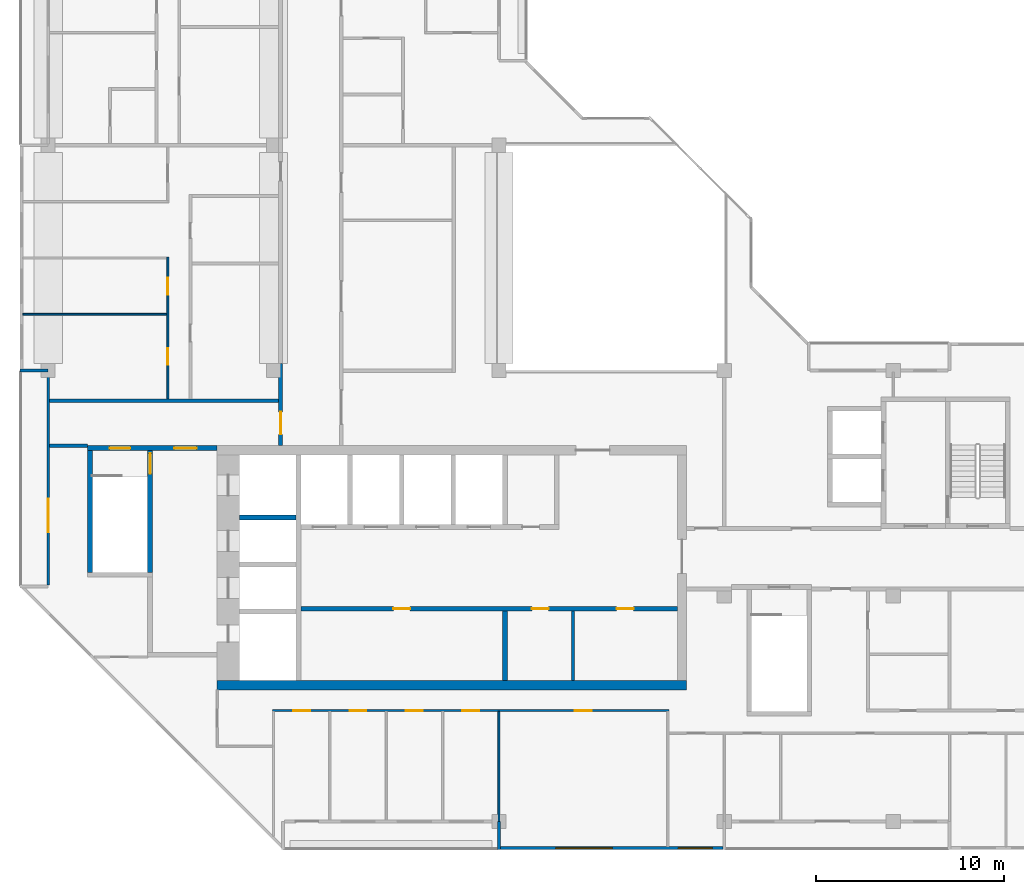
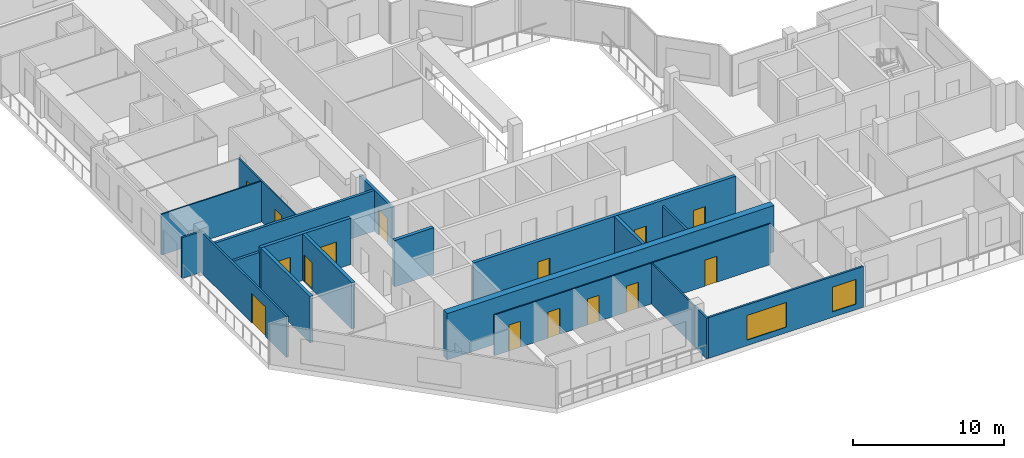
# One storey, part 4 of 11: 19 walls, 15 doors, 2 windows, 17 openings.
"""IFC4 building model written with IfcOpenShell, lengths in metres."""

from ifc_helpers import new_model, si_unit, direction, frame, frame_2d, origin, place, context, subcontext, project, spatial, rectangle, extrude, material, layer, layer_set, type_object, element, fill, save


model = new_model("IFC4")

# Units and contexts
model_context = context("Model", 3, precision=1e-05, world=origin(), true_north=direction((0.0, 1.0)))
body_context = subcontext(model_context, "Body", "Model", "MODEL_VIEW")
ifc_project = project(units=[si_unit("LENGTHUNIT", "METRE"), si_unit("AREAUNIT", "SQUARE_METRE"), si_unit("VOLUMEUNIT", "CUBIC_METRE"), si_unit("PLANEANGLEUNIT", "RADIAN"), si_unit("MASSUNIT", "GRAM", prefix="KILO")], contexts=[model_context])

# Site, building, storey
site_placement = place(None, origin())
site = spatial("IfcSite", under=ifc_project, at=site_placement, CompositionType="ELEMENT")
building_placement = place(site_placement, origin())
building = spatial("IfcBuilding", under=site, at=building_placement, Name="Chenar Terraces", CompositionType="ELEMENT")
storey_placement = place(building_placement, frame((0.0, 0.0, 380.14990234375)))
storey = spatial("IfcBuildingStorey", under=building, at=storey_placement, Name="L89", CompositionType="ELEMENT", Elevation=380.14990234375)

# Wall
ifc_material_1 = material(Name="Gypsum board on steel studs", Category="steel")
ifc_layer_1 = layer(ifc_material_1, 0.14990234375)
ifc_layer_set_1 = layer_set([ifc_layer_1], Name="Gypsum board on steel studs")
wall_type_1 = type_object("IfcWallType", Name="Core partition 150 gypsum board", PredefinedType="PARTITIONING", material=ifc_layer_set_1)
wall_1_placement = place(storey_placement, frame((27.949951171875, 7.5, 0.0), z_axis=(0.0, 0.0, 1.0), x_axis=(0.0, 1.0, 0.0)))
element("IfcWall", 1, at=wall_1_placement, inside=storey, type_object=wall_type_1, Name="Core partition CP1 freed bay wall", PredefinedType="PARTITIONING", context=body_context, shape_type="SweptSolid", body=[
    extrude(rectangle(XDim=3.699951171875, YDim=0.14990234375, at=frame_2d((1.85009765625, 0.0))), origin(), (0.0, 0.0, 1.0), 3.300048828125),
])

# Wall, openings, doors
ifc_material_2 = material(Name="Concrete C50/60", Category="concrete")
ifc_layer_2 = layer(ifc_material_2, 0.25)
ifc_layer_set_2 = layer_set([ifc_layer_2], Name="Concrete C50/60")
wall_type_2 = type_object("IfcWallType", Name="Core wall 250 Concrete C50/60", PredefinedType="SHEAR", material=ifc_layer_set_2)
wall_2_placement = place(storey_placement, frame((13.449951171875, 11.324951171875, 0.0), z_axis=(0.0, 0.0, 1.0), x_axis=(1.0, 0.0, 0.0)))
wall_2 = element("IfcWall", 2, at=wall_2_placement, inside=storey, type_object=wall_type_2, Name="Core wall SF L89", PredefinedType="SHEAR", context=body_context, shape_type="SweptSolid", body=[
    extrude(rectangle(XDim=20.050048828125, YDim=0.25, at=frame_2d((10.02490234375, 0.0))), origin(), (0.0, 0.0, 1.0), 3.75),
])
opening_1_placement = place(wall_2_placement, frame((4.925048828125, 0.0, 0.0)))
opening_1 = element("IfcOpeningElement", 3, at=opening_1_placement, cuts=wall_2, Name="Opening DL89-C12", PredefinedType="OPENING", context=body_context, shape_type="SweptSolid", body=[
    extrude(rectangle(XDim=0.89990234375, YDim=2.10009765625, at=frame_2d((0.449951171875, 1.050048828125))), frame((0.0, 0.135009765625, 0.0), z_axis=(0.0, -1.0, 0.0), x_axis=(1.0, 0.0, 0.0)), (0.0, 0.0, 1.0), 0.27001953125),
])
opening_2_placement = place(wall_2_placement, frame((12.300048828125, 0.0, 0.0)))
opening_2 = element("IfcOpeningElement", 4, at=opening_2_placement, cuts=wall_2, Name="Opening DL89-C13", PredefinedType="OPENING", context=body_context, shape_type="SweptSolid", body=[
    extrude(rectangle(XDim=0.89990234375, YDim=2.10009765625, at=frame_2d((0.449951171875, 1.050048828125))), frame((0.0, 0.135009765625, 0.0), z_axis=(0.0, -1.0, 0.0), x_axis=(1.0, 0.0, 0.0)), (0.0, 0.0, 1.0), 0.27001953125),
])
opening_3_placement = place(wall_2_placement, frame((16.824951171875, 0.0, 0.0)))
opening_3 = element("IfcOpeningElement", 5, at=opening_3_placement, cuts=wall_2, Name="Opening DL89-C14", PredefinedType="OPENING", context=body_context, shape_type="SweptSolid", body=[
    extrude(rectangle(XDim=0.89990234375, YDim=2.10009765625, at=frame_2d((0.449951171875, 1.050048828125))), frame((0.0, 0.135009765625, 0.0), z_axis=(0.0, -1.0, 0.0), x_axis=(1.0, 0.0, 0.0)), (0.0, 0.0, 1.0), 0.27001953125),
])
ifc_material_3 = material(Name="Steel-framed fire-resisting door leaf", Category="steel")
door_type_1 = type_object("IfcDoorType", Name="Riser fire door FD60 900 x 2100", OperationType="SINGLE_SWING_LEFT", PredefinedType="DOOR", material=ifc_material_3)
door_1_placement = place(opening_1_placement, frame((0.89990234375, 0.0, 0.0), z_axis=(0.0, 0.0, 1.0), x_axis=(-1.0, 0.0, 0.0)))
door_1 = element("IfcDoor", 6, at=door_1_placement, inside=storey, type_object=door_type_1, Name="Core room door DL89-C12", OperationType="SINGLE_SWING_RIGHT", OverallHeight=2.10009765625, OverallWidth=0.89990234375, PredefinedType="DOOR", context=body_context, shape_type="SweptSolid", body=[
    extrude(rectangle(XDim=0.89990234375, YDim=2.10009765625, at=frame_2d((0.449951171875, 1.050048828125))), frame((0.0, 0.02490234375, 0.0), z_axis=(0.0, -1.0, 0.0), x_axis=(1.0, 0.0, 0.0)), (0.0, 0.0, 1.0), 0.050048828125),
])
fill(opening_1, door_1)
door_2_placement = place(opening_2_placement, frame((0.89990234375, 0.0, 0.0), z_axis=(0.0, 0.0, 1.0), x_axis=(-1.0, 0.0, 0.0)))
door_2 = element("IfcDoor", 7, at=door_2_placement, inside=storey, type_object=door_type_1, Name="Core room door DL89-C13", OperationType="SINGLE_SWING_LEFT", OverallHeight=2.10009765625, OverallWidth=0.89990234375, PredefinedType="DOOR", context=body_context, shape_type="SweptSolid", body=[
    extrude(rectangle(XDim=0.89990234375, YDim=2.10009765625, at=frame_2d((0.449951171875, 1.050048828125))), frame((0.0, 0.02490234375, 0.0), z_axis=(0.0, -1.0, 0.0), x_axis=(1.0, 0.0, 0.0)), (0.0, 0.0, 1.0), 0.050048828125),
])
fill(opening_2, door_2)
door_3_placement = place(opening_3_placement, frame((0.89990234375, 0.0, 0.0), z_axis=(0.0, 0.0, 1.0), x_axis=(-1.0, 0.0, 0.0)))
door_3 = element("IfcDoor", 8, at=door_3_placement, inside=storey, type_object=door_type_1, Name="Core room door DL89-C14", OperationType="SINGLE_SWING_LEFT", OverallHeight=2.10009765625, OverallWidth=0.89990234375, PredefinedType="DOOR", context=body_context, shape_type="SweptSolid", body=[
    extrude(rectangle(XDim=0.89990234375, YDim=2.10009765625, at=frame_2d((0.449951171875, 1.050048828125))), frame((0.0, 0.02490234375, 0.0), z_axis=(0.0, -1.0, 0.0), x_axis=(1.0, 0.0, 0.0)), (0.0, 0.0, 1.0), 0.050048828125),
])
fill(opening_3, door_3)

# Walls
wall_3_placement = place(storey_placement, frame((10.199951171875, 16.175048828125, 0.0), z_axis=(0.0, 0.0, 1.0), x_axis=(1.0, 0.0, 0.0)))
element("IfcWall", 9, at=wall_3_placement, inside=storey, type_object=wall_type_2, Name="Core wall HW2 L89", PredefinedType="SHEAR", context=body_context, shape_type="SweptSolid", body=[
    extrude(rectangle(XDim=3.0, YDim=0.25, at=frame_2d((1.5, 0.0))), origin(), (0.0, 0.0, 1.0), 3.75),
])
wall_4_placement = place(storey_placement, frame((24.324951171875, 7.5, 0.0), z_axis=(0.0, 0.0, 1.0), x_axis=(0.0, 1.0, 0.0)))
element("IfcWall", 10, at=wall_4_placement, inside=storey, type_object=wall_type_2, Name="Core wall SS3 L89", PredefinedType="SHEAR", context=body_context, shape_type="SweptSolid", body=[
    extrude(rectangle(XDim=3.699951171875, YDim=0.25, at=frame_2d((1.85009765625, 0.0))), origin(), (0.0, 0.0, 1.0), 3.75),
])

# Wall, openings, doors
wall_5_placement = place(storey_placement, frame((2.10009765625, 19.875, 0.0), z_axis=(0.0, 0.0, 1.0), x_axis=(1.0, 0.0, 0.0)))
wall_5 = element("IfcWall", 11, at=wall_5_placement, inside=storey, type_object=wall_type_2, Name="Core wall A_N L89", PredefinedType="SHEAR", context=body_context, shape_type="SweptSolid", body=[
    extrude(rectangle(XDim=6.89990234375, YDim=0.25, at=frame_2d((3.449951171875, 0.0))), origin(), (0.0, 0.0, 1.0), 3.75),
])
opening_4_placement = place(wall_5_placement, frame((1.175048828125, 0.0, 0.0)))
opening_4 = element("IfcOpeningElement", 12, at=opening_4_placement, cuts=wall_5, Name="Opening DL89-C5", PredefinedType="OPENING", context=body_context, shape_type="SweptSolid", body=[
    extrude(rectangle(XDim=1.10009765625, YDim=2.199951171875, at=frame_2d((0.550048828125, 1.10009765625))), frame((0.0, 0.135009765625, 0.0), z_axis=(0.0, -1.0, 0.0), x_axis=(1.0, 0.0, 0.0)), (0.0, 0.0, 1.0), 0.27001953125),
])
opening_5_placement = place(wall_5_placement, frame((4.60009765625, 0.0, 0.0)))
opening_5 = element("IfcOpeningElement", 13, at=opening_5_placement, cuts=wall_5, Name="Opening DL89-C6", PredefinedType="OPENING", context=body_context, shape_type="SweptSolid", body=[
    extrude(rectangle(XDim=1.199951171875, YDim=2.199951171875, at=frame_2d((0.60009765625, 1.10009765625))), frame((0.0, 0.135009765625, 0.0), z_axis=(0.0, -1.0, 0.0), x_axis=(1.0, 0.0, 0.0)), (0.0, 0.0, 1.0), 0.27001953125),
])
ifc_material_4 = material(Name="Steel-framed fire-resisting door leaf", Category="steel")
door_type_2 = type_object("IfcDoorType", Name="Lobby fire door FD60 1200 x 2200", OperationType="SINGLE_SWING_LEFT", PredefinedType="DOOR", material=ifc_material_4)
door_4_placement = place(opening_5_placement, frame((1.199951171875, 0.0, 0.0), z_axis=(0.0, 0.0, 1.0), x_axis=(-1.0, 0.0, 0.0)))
door_4 = element("IfcDoor", 14, at=door_4_placement, inside=storey, type_object=door_type_2, Name="Core door DL89-C6", OperationType="SINGLE_SWING_LEFT", OverallHeight=2.199951171875, OverallWidth=1.199951171875, PredefinedType="DOOR", context=body_context, shape_type="SweptSolid", body=[
    extrude(rectangle(XDim=1.199951171875, YDim=2.199951171875, at=frame_2d((0.60009765625, 1.10009765625))), frame((0.0, 0.02490234375, 0.0), z_axis=(0.0, -1.0, 0.0), x_axis=(1.0, 0.0, 0.0)), (0.0, 0.0, 1.0), 0.050048828125),
])
fill(opening_5, door_4)
ifc_material_5 = material(Name="Steel-framed fire-resisting door leaf", Category="steel")
door_type_3 = type_object("IfcDoorType", Name="Stair fire door FD60 1100 x 2200", OperationType="SINGLE_SWING_LEFT", PredefinedType="DOOR", material=ifc_material_5)
door_5_placement = place(opening_4_placement, origin())
door_5 = element("IfcDoor", 15, at=door_5_placement, inside=storey, type_object=door_type_3, Name="Stair door DL89-C5", OperationType="SINGLE_SWING_LEFT", OverallHeight=2.199951171875, OverallWidth=1.10009765625, PredefinedType="DOOR", context=body_context, shape_type="SweptSolid", body=[
    extrude(rectangle(XDim=1.10009765625, YDim=2.199951171875, at=frame_2d((0.550048828125, 1.10009765625))), frame((0.0, 0.02490234375, 0.0), z_axis=(0.0, -1.0, 0.0), x_axis=(1.0, 0.0, 0.0)), (0.0, 0.0, 1.0), 0.050048828125),
])
fill(opening_4, door_5)

# Wall
wall_6_placement = place(storey_placement, frame((2.22509765625, 13.25, 0.0), z_axis=(0.0, 0.0, 1.0), x_axis=(0.0, 1.0, 0.0)))
element("IfcWall", 16, at=wall_6_placement, inside=storey, type_object=wall_type_2, Name="Core wall ST1_W L89", PredefinedType="SHEAR", context=body_context, shape_type="SweptSolid", body=[
    extrude(rectangle(XDim=6.5, YDim=0.25, at=frame_2d((3.25, 0.0))), origin(), (0.0, 0.0, 1.0), 3.75),
])

# Wall, opening, door
wall_7_placement = place(storey_placement, frame((5.425048828125, 13.25, 0.0), z_axis=(0.0, 0.0, 1.0), x_axis=(0.0, 1.0, 0.0)))
wall_7 = element("IfcWall", 17, at=wall_7_placement, inside=storey, type_object=wall_type_2, Name="Core wall ST1_E L89", PredefinedType="SHEAR", context=body_context, shape_type="SweptSolid", body=[
    extrude(rectangle(XDim=6.5, YDim=0.25, at=frame_2d((3.25, 0.0))), origin(), (0.0, 0.0, 1.0), 3.75),
])
opening_6_placement = place(wall_7_placement, frame((5.25, 0.0, 0.0)))
opening_6 = element("IfcOpeningElement", 18, at=opening_6_placement, cuts=wall_7, Name="Opening DL89-C3", PredefinedType="OPENING", context=body_context, shape_type="SweptSolid", body=[
    extrude(rectangle(XDim=1.10009765625, YDim=2.199951171875, at=frame_2d((0.550048828125, 1.10009765625))), frame((0.0, 0.135009765625, 0.0), z_axis=(0.0, -1.0, 0.0), x_axis=(1.0, 0.0, 0.0)), (0.0, 0.0, 1.0), 0.27001953125),
])
door_6_placement = place(opening_6_placement, origin())
door_6 = element("IfcDoor", 19, at=door_6_placement, inside=storey, type_object=door_type_3, Name="Stair door DL89-C3", OperationType="SINGLE_SWING_RIGHT", OverallHeight=2.199951171875, OverallWidth=1.10009765625, PredefinedType="DOOR", context=body_context, shape_type="SweptSolid", body=[
    extrude(rectangle(XDim=1.10009765625, YDim=2.199951171875, at=frame_2d((0.550048828125, 1.10009765625))), frame((0.0, 0.02490234375, 0.0), z_axis=(0.0, -1.0, 0.0), x_axis=(1.0, 0.0, 0.0)), (0.0, 0.0, 1.0), 0.050048828125),
])
fill(opening_6, door_6)

# Walls
ifc_material_6 = material(Name="Concrete C50/60", Category="concrete")
ifc_layer_3 = layer(ifc_material_6, 0.5)
ifc_layer_set_3 = layer_set([ifc_layer_3], Name="Concrete C50/60")
wall_type_3 = type_object("IfcWallType", Name="Core wall 500 Concrete C50/60", PredefinedType="SHEAR", material=ifc_layer_set_3)
wall_8_placement = place(storey_placement, frame((9.0, 7.25, 0.0), z_axis=(0.0, 0.0, 1.0), x_axis=(1.0, 0.0, 0.0)))
element("IfcWall", 20, at=wall_8_placement, inside=storey, type_object=wall_type_3, Name="Core wall S L89", PredefinedType="SHEAR", context=body_context, shape_type="SweptSolid", body=[
    extrude(rectangle(XDim=25.0, YDim=0.5, at=frame_2d((12.5, 0.0))), origin(), (0.0, 0.0, 1.0), 3.75),
])
ifc_material_7 = material(Name="Gypsum board on steel studs with fire boards", Category="steel")
ifc_layer_4 = layer(ifc_material_7, 0.199951171875)
ifc_layer_set_4 = layer_set([ifc_layer_4], Name="Gypsum board on steel studs with fire boards")
wall_type_4 = type_object("IfcWallType", Name="Corridor wall 200", PredefinedType="PARTITIONING", material=ifc_layer_set_4)
wall_9_placement = place(storey_placement, frame((0.073974609375, 20.0, 0.0), z_axis=(0.0, 0.0, 1.0), x_axis=(1.0, 0.0, 0.0)))
element("IfcWall", 21, at=wall_9_placement, inside=storey, type_object=wall_type_4, Name="Partition L89-007", PredefinedType="PARTITIONING", context=body_context, shape_type="SweptSolid", body=[
    extrude(rectangle(XDim=2.026123046875, YDim=0.199951171875, at=frame_2d((1.01318359375, 0.0))), origin(), (0.0, 0.0, 1.0), 3.300048828125),
])
wall_10_placement = place(storey_placement, frame((0.073974609375, 22.39990234375, 0.0), z_axis=(0.0, 0.0, 1.0), x_axis=(1.0, 0.0, 0.0)))
element("IfcWall", 22, at=wall_10_placement, inside=storey, type_object=wall_type_4, Name="Partition L89-008", PredefinedType="PARTITIONING", context=body_context, shape_type="SweptSolid", body=[
    extrude(rectangle(XDim=12.200927734375, YDim=0.199951171875, at=frame_2d((6.1005859375, 0.0))), origin(), (0.0, 0.0, 1.0), 3.300048828125),
])

# Wall, opening, door
wall_11_placement = place(storey_placement, frame((12.375, 20.0, 0.0), z_axis=(0.0, 0.0, 1.0), x_axis=(0.0, 1.0, 0.0)))
wall_11 = element("IfcWall", 23, at=wall_11_placement, inside=storey, type_object=wall_type_4, Name="Partition L89-029", PredefinedType="PARTITIONING", context=body_context, shape_type="SweptSolid", body=[
    extrude(rectangle(XDim=4.375, YDim=0.199951171875, at=frame_2d((2.1875, 0.0))), origin(), (0.0, 0.0, 1.0), 3.300048828125),
])
opening_7_placement = place(wall_11_placement, frame((0.60009765625, 0.0, 0.0)))
opening_7 = element("IfcOpeningElement", 24, at=opening_7_placement, cuts=wall_11, Name="Opening DL89-19", PredefinedType="OPENING", context=body_context, shape_type="SweptSolid", body=[
    extrude(rectangle(XDim=1.199951171875, YDim=2.10009765625, at=frame_2d((0.60009765625, 1.050048828125))), frame((0.0, 0.10986328125, 0.0), z_axis=(0.0, -1.0, 0.0), x_axis=(1.0, 0.0, 0.0)), (0.0, 0.0, 1.0), 0.219970703125),
])
ifc_material_8 = material(Name="Steel-framed fire-resisting door leaf", Category="steel")
door_type_4 = type_object("IfcDoorType", Name="Fire door FD30S 1200 x 2100", OperationType="SINGLE_SWING_LEFT", PredefinedType="DOOR", material=ifc_material_8)
door_7_placement = place(opening_7_placement, origin())
door_7 = element("IfcDoor", 25, at=door_7_placement, inside=storey, type_object=door_type_4, Name="Door DL89-19", OperationType="SINGLE_SWING_RIGHT", OverallHeight=2.10009765625, OverallWidth=1.199951171875, PredefinedType="DOOR", context=body_context, shape_type="SweptSolid", body=[
    extrude(rectangle(XDim=1.199951171875, YDim=2.10009765625, at=frame_2d((0.60009765625, 1.050048828125))), frame((0.0, 0.02490234375, 0.0), z_axis=(0.0, -1.0, 0.0), x_axis=(1.0, 0.0, 0.0)), (0.0, 0.0, 1.0), 0.050048828125),
])
fill(opening_7, door_7)

# Wall, openings, windows
ifc_material_9 = material(Name="Aluminium framed glazing", Category="aluminium")
ifc_layer_5 = layer(ifc_material_9, 0.14990234375)
ifc_layer_set_5 = layer_set([ifc_layer_5], Name="Aluminium framed glazing")
wall_type_5 = type_object("IfcWallType", Name="Glazed flush facade wall 150", PredefinedType="SOLIDWALL", material=ifc_layer_set_5)
wall_12_placement = place(storey_placement, frame((24.074951171875, -1.425048828125, 0.0), z_axis=(0.0, 0.0, 1.0), x_axis=(1.0, 0.0, 0.0)))
wall_12 = element("IfcWall", 26, at=wall_12_placement, inside=storey, type_object=wall_type_5, Name="Glazed flush facade wall", PredefinedType="SOLIDWALL", context=body_context, shape_type="SweptSolid", body=[
    extrude(rectangle(XDim=11.85009765625, YDim=0.14990234375, at=frame_2d((5.925048828125, 0.0))), origin(), (0.0, 0.0, 1.0), 3.300048828125),
])
opening_8_placement = place(wall_12_placement, frame((2.96240234375, 0.0, 0.449951171875)))
opening_8 = element("IfcOpeningElement", 27, at=opening_8_placement, cuts=wall_12, Name="Opening W300x200", PredefinedType="OPENING", context=body_context, shape_type="SweptSolid", body=[
    extrude(rectangle(XDim=3.0, YDim=2.0, at=frame_2d((1.5, 1.0))), frame((0.0, 0.0849609375, 0.0), z_axis=(0.0, -1.0, 0.0), x_axis=(1.0, 0.0, 0.0)), (0.0, 0.0, 1.0), 0.169921875),
])
opening_9_placement = place(wall_12_placement, frame((9.487548828125, 0.0, 0.449951171875)))
opening_9 = element("IfcOpeningElement", 28, at=opening_9_placement, cuts=wall_12, Name="Opening W180x200", PredefinedType="OPENING", context=body_context, shape_type="SweptSolid", body=[
    extrude(rectangle(XDim=1.800048828125, YDim=2.0, at=frame_2d((0.89990234375, 1.0))), frame((0.0, 0.0849609375, 0.0), z_axis=(0.0, -1.0, 0.0), x_axis=(1.0, 0.0, 0.0)), (0.0, 0.0, 1.0), 0.169921875),
])
ifc_material_10 = material(Name="Low emissivity double glazing, aluminium frame", Category="aluminium")
window_type_1 = type_object("IfcWindowType", Name="Fixed light 1800 x 2000", PartitioningType="SINGLE_PANEL", PredefinedType="WINDOW", material=ifc_material_10)
window_1_placement = place(opening_9_placement, origin())
window_1 = element("IfcWindow", 29, at=window_1_placement, inside=storey, type_object=window_type_1, Name="Window", OverallHeight=2.0, OverallWidth=1.800048828125, PartitioningType="SINGLE_PANEL", PredefinedType="WINDOW", context=body_context, shape_type="SweptSolid", body=[
    extrude(rectangle(XDim=1.800048828125, YDim=2.0, at=frame_2d((0.89990234375, 1.0))), frame((0.0, 0.030029296875, 0.0), z_axis=(0.0, -1.0, 0.0), x_axis=(1.0, 0.0, 0.0)), (0.0, 0.0, 1.0), 0.06005859375),
])
fill(opening_9, window_1)
ifc_material_11 = material(Name="Low emissivity double glazing, aluminium frame", Category="aluminium")
window_type_2 = type_object("IfcWindowType", Name="Fixed light 3000 x 2000", PartitioningType="SINGLE_PANEL", PredefinedType="WINDOW", material=ifc_material_11)
window_2_placement = place(opening_8_placement, origin())
window_2 = element("IfcWindow", 30, at=window_2_placement, inside=storey, type_object=window_type_2, Name="Window", OverallHeight=2.0, OverallWidth=3.0, PartitioningType="SINGLE_PANEL", PredefinedType="WINDOW", context=body_context, shape_type="SweptSolid", body=[
    extrude(rectangle(XDim=3.0, YDim=2.0, at=frame_2d((1.5, 1.0))), frame((0.0, 0.030029296875, 0.0), z_axis=(0.0, -1.0, 0.0), x_axis=(1.0, 0.0, 0.0)), (0.0, 0.0, 1.0), 0.06005859375),
])
fill(opening_8, window_2)

# Wall, opening, door
ifc_material_12 = material(Name="Aluminium framed glazing", Category="aluminium")
ifc_layer_6 = layer(ifc_material_12, 0.14990234375)
ifc_layer_set_6 = layer_set([ifc_layer_6], Name="Aluminium framed glazing")
wall_type_6 = type_object("IfcWallType", Name="Glazed loggia back wall 150", PredefinedType="SOLIDWALL", material=ifc_layer_set_6)
wall_13_placement = place(storey_placement, frame((0.0, 23.925048828125, 0.0), z_axis=(0.0, 0.0, 1.0), x_axis=(0.0, -1.0, 0.0)))
wall_13 = element("IfcWall", 31, at=wall_13_placement, inside=storey, type_object=wall_type_6, Name="Glazed loggia back wall", PredefinedType="SOLIDWALL", context=body_context, shape_type="SweptSolid", body=[
    extrude(rectangle(XDim=11.35009765625, YDim=0.14990234375, at=frame_2d((5.675048828125, 0.0))), origin(), (0.0, 0.0, 1.0), 3.300048828125),
])
opening_10_placement = place(wall_13_placement, frame((6.737548828125, 0.0, 0.0)))
opening_10 = element("IfcOpeningElement", 32, at=opening_10_placement, cuts=wall_13, Name="Opening DL89-G2", PredefinedType="OPENING", context=body_context, shape_type="SweptSolid", body=[
    extrude(rectangle(XDim=1.800048828125, YDim=2.39990234375, at=frame_2d((0.89990234375, 1.199951171875))), frame((0.0, 0.0849609375, 0.0), z_axis=(0.0, -1.0, 0.0), x_axis=(1.0, 0.0, 0.0)), (0.0, 0.0, 1.0), 0.169921875),
])
ifc_material_13 = material(Name="Low emissivity double glazing, aluminium frame", Category="aluminium")
door_type_5 = type_object("IfcDoorType", Name="Loggia glazed double door 1800 x 2400", OperationType="DOUBLE_DOOR_SINGLE_SWING", PredefinedType="DOOR", material=ifc_material_13)
door_8_placement = place(opening_10_placement, frame((1.800048828125, 0.0, 0.0), z_axis=(0.0, 0.0, 1.0), x_axis=(-1.0, 0.0, 0.0)))
door_8 = element("IfcDoor", 33, at=door_8_placement, inside=storey, type_object=door_type_5, Name="Loggia glazed door", OperationType="DOUBLE_DOOR_SINGLE_SWING", OverallHeight=2.39990234375, OverallWidth=1.800048828125, PredefinedType="DOOR", context=body_context, shape_type="SweptSolid", body=[
    extrude(rectangle(XDim=1.800048828125, YDim=2.39990234375, at=frame_2d((0.89990234375, 1.199951171875))), frame((0.0, 0.02490234375, 0.0), z_axis=(0.0, -1.0, 0.0), x_axis=(1.0, 0.0, 0.0)), (0.0, 0.0, 1.0), 0.050048828125),
])
fill(opening_10, door_8)

# Wall
ifc_material_14 = material(Name="Gypsum board on steel studs", Category="steel")
ifc_layer_7 = layer(ifc_material_14, 0.10009765625)
ifc_layer_set_7 = layer_set([ifc_layer_7], Name="Gypsum board on steel studs")
wall_type_7 = type_object("IfcWallType", Name="Gypsum partition 100", PredefinedType="PARTITIONING", material=ifc_layer_set_7)
wall_14_placement = place(storey_placement, frame((-1.35107421875, 27.0, 0.0), z_axis=(0.0, 0.0, 1.0), x_axis=(1.0, 0.0, 0.0)))
element("IfcWall", 34, at=wall_14_placement, inside=storey, type_object=wall_type_7, Name="Partition L89-001", PredefinedType="PARTITIONING", context=body_context, shape_type="SweptSolid", body=[
    extrude(rectangle(XDim=7.676025390625, YDim=0.10009765625, at=frame_2d((3.837890625, 0.0))), origin(), (0.0, 0.0, 1.0), 3.300048828125),
])

# Wall, openings, doors
wall_15_placement = place(storey_placement, frame((6.375, 22.5, 0.0), z_axis=(0.0, 0.0, 1.0), x_axis=(0.0, 1.0, 0.0)))
wall_15 = element("IfcWall", 35, at=wall_15_placement, inside=storey, type_object=wall_type_7, Name="Partition L89-017", PredefinedType="PARTITIONING", context=body_context, shape_type="SweptSolid", body=[
    extrude(rectangle(XDim=7.550048828125, YDim=0.10009765625, at=frame_2d((3.77490234375, 0.0))), origin(), (0.0, 0.0, 1.0), 3.300048828125),
])
opening_11_placement = place(wall_15_placement, frame((1.800048828125, 0.0, 0.0)))
opening_11 = element("IfcOpeningElement", 36, at=opening_11_placement, cuts=wall_15, Name="Opening DL89-39", PredefinedType="OPENING", context=body_context, shape_type="SweptSolid", body=[
    extrude(rectangle(XDim=0.89990234375, YDim=2.10009765625, at=frame_2d((0.449951171875, 1.050048828125))), frame((0.0, 0.06005859375, 0.0), z_axis=(0.0, -1.0, 0.0), x_axis=(1.0, 0.0, 0.0)), (0.0, 0.0, 1.0), 0.1201171875),
])
opening_12_placement = place(wall_15_placement, frame((5.550048828125, 0.0, 0.0)))
opening_12 = element("IfcOpeningElement", 37, at=opening_12_placement, cuts=wall_15, Name="Opening DL89-40", PredefinedType="OPENING", context=body_context, shape_type="SweptSolid", body=[
    extrude(rectangle(XDim=0.89990234375, YDim=2.10009765625, at=frame_2d((0.449951171875, 1.050048828125))), frame((0.0, 0.06005859375, 0.0), z_axis=(0.0, -1.0, 0.0), x_axis=(1.0, 0.0, 0.0)), (0.0, 0.0, 1.0), 0.1201171875),
])
ifc_material_15 = material(Name="Veneered timber door leaf", Category="wood")
door_type_6 = type_object("IfcDoorType", Name="Door 900 x 2100", OperationType="SINGLE_SWING_LEFT", PredefinedType="DOOR", material=ifc_material_15)
door_9_placement = place(opening_11_placement, origin())
door_9 = element("IfcDoor", 38, at=door_9_placement, inside=storey, type_object=door_type_6, Name="Door DL89-39", OperationType="SINGLE_SWING_RIGHT", OverallHeight=2.10009765625, OverallWidth=0.89990234375, PredefinedType="DOOR", context=body_context, shape_type="SweptSolid", body=[
    extrude(rectangle(XDim=0.89990234375, YDim=2.10009765625, at=frame_2d((0.449951171875, 1.050048828125))), frame((0.0, 0.02490234375, 0.0), z_axis=(0.0, -1.0, 0.0), x_axis=(1.0, 0.0, 0.0)), (0.0, 0.0, 1.0), 0.050048828125),
])
fill(opening_11, door_9)
door_10_placement = place(opening_12_placement, origin())
door_10 = element("IfcDoor", 39, at=door_10_placement, inside=storey, type_object=door_type_6, Name="Door DL89-40", OperationType="SINGLE_SWING_RIGHT", OverallHeight=2.10009765625, OverallWidth=0.89990234375, PredefinedType="DOOR", context=body_context, shape_type="SweptSolid", body=[
    extrude(rectangle(XDim=0.89990234375, YDim=2.10009765625, at=frame_2d((0.449951171875, 1.050048828125))), frame((0.0, 0.02490234375, 0.0), z_axis=(0.0, -1.0, 0.0), x_axis=(1.0, 0.0, 0.0)), (0.0, 0.0, 1.0), 0.050048828125),
])
fill(opening_12, door_10)

wall_16_placement = place(storey_placement, frame((11.949951171875, 5.89990234375, 0.0), z_axis=(0.0, 0.0, 1.0), x_axis=(1.0, 0.0, 0.0)))
wall_16 = element("IfcWall", 40, at=wall_16_placement, inside=storey, type_object=wall_type_7, Name="Partition L89-027", PredefinedType="PARTITIONING", context=body_context, shape_type="SweptSolid", body=[
    extrude(rectangle(XDim=21.10009765625, YDim=0.10009765625, at=frame_2d((10.550048828125, 0.0))), origin(), (0.0, 0.0, 1.0), 3.300048828125),
])
opening_13_placement = place(wall_16_placement, frame((1.10009765625, 0.0, 0.0)))
opening_13 = element("IfcOpeningElement", 41, at=opening_13_placement, cuts=wall_16, Name="Opening DL89-23", PredefinedType="OPENING", context=body_context, shape_type="SweptSolid", body=[
    extrude(rectangle(XDim=0.89990234375, YDim=2.10009765625, at=frame_2d((0.449951171875, 1.050048828125))), frame((0.0, 0.06005859375, 0.0), z_axis=(0.0, -1.0, 0.0), x_axis=(1.0, 0.0, 0.0)), (0.0, 0.0, 1.0), 0.1201171875),
])
opening_14_placement = place(wall_16_placement, frame((4.10009765625, 0.0, 0.0)))
opening_14 = element("IfcOpeningElement", 42, at=opening_14_placement, cuts=wall_16, Name="Opening DL89-24", PredefinedType="OPENING", context=body_context, shape_type="SweptSolid", body=[
    extrude(rectangle(XDim=0.89990234375, YDim=2.10009765625, at=frame_2d((0.449951171875, 1.050048828125))), frame((0.0, 0.06005859375, 0.0), z_axis=(0.0, -1.0, 0.0), x_axis=(1.0, 0.0, 0.0)), (0.0, 0.0, 1.0), 0.1201171875),
])
opening_15_placement = place(wall_16_placement, frame((7.10009765625, 0.0, 0.0)))
opening_15 = element("IfcOpeningElement", 43, at=opening_15_placement, cuts=wall_16, Name="Opening DL89-25", PredefinedType="OPENING", context=body_context, shape_type="SweptSolid", body=[
    extrude(rectangle(XDim=0.89990234375, YDim=2.10009765625, at=frame_2d((0.449951171875, 1.050048828125))), frame((0.0, 0.06005859375, 0.0), z_axis=(0.0, -1.0, 0.0), x_axis=(1.0, 0.0, 0.0)), (0.0, 0.0, 1.0), 0.1201171875),
])
opening_16_placement = place(wall_16_placement, frame((10.10009765625, 0.0, 0.0)))
opening_16 = element("IfcOpeningElement", 44, at=opening_16_placement, cuts=wall_16, Name="Opening DL89-26", PredefinedType="OPENING", context=body_context, shape_type="SweptSolid", body=[
    extrude(rectangle(XDim=0.89990234375, YDim=2.10009765625, at=frame_2d((0.449951171875, 1.050048828125))), frame((0.0, 0.06005859375, 0.0), z_axis=(0.0, -1.0, 0.0), x_axis=(1.0, 0.0, 0.0)), (0.0, 0.0, 1.0), 0.1201171875),
])
opening_17_placement = place(wall_16_placement, frame((16.10009765625, 0.0, 0.0)))
opening_17 = element("IfcOpeningElement", 45, at=opening_17_placement, cuts=wall_16, Name="Opening DL89-35", PredefinedType="OPENING", context=body_context, shape_type="SweptSolid", body=[
    extrude(rectangle(XDim=0.89990234375, YDim=2.10009765625, at=frame_2d((0.449951171875, 1.050048828125))), frame((0.0, 0.06005859375, 0.0), z_axis=(0.0, -1.0, 0.0), x_axis=(1.0, 0.0, 0.0)), (0.0, 0.0, 1.0), 0.1201171875),
])
door_11_placement = place(opening_13_placement, frame((0.89990234375, 0.0, 0.0), z_axis=(0.0, 0.0, 1.0), x_axis=(-1.0, 0.0, 0.0)))
door_11 = element("IfcDoor", 46, at=door_11_placement, inside=storey, type_object=door_type_6, Name="Door DL89-23", OperationType="SINGLE_SWING_RIGHT", OverallHeight=2.10009765625, OverallWidth=0.89990234375, PredefinedType="DOOR", context=body_context, shape_type="SweptSolid", body=[
    extrude(rectangle(XDim=0.89990234375, YDim=2.10009765625, at=frame_2d((0.449951171875, 1.050048828125))), frame((0.0, 0.02490234375, 0.0), z_axis=(0.0, -1.0, 0.0), x_axis=(1.0, 0.0, 0.0)), (0.0, 0.0, 1.0), 0.050048828125),
])
fill(opening_13, door_11)
door_12_placement = place(opening_14_placement, frame((0.89990234375, 0.0, 0.0), z_axis=(0.0, 0.0, 1.0), x_axis=(-1.0, 0.0, 0.0)))
door_12 = element("IfcDoor", 47, at=door_12_placement, inside=storey, type_object=door_type_6, Name="Door DL89-24", OperationType="SINGLE_SWING_RIGHT", OverallHeight=2.10009765625, OverallWidth=0.89990234375, PredefinedType="DOOR", context=body_context, shape_type="SweptSolid", body=[
    extrude(rectangle(XDim=0.89990234375, YDim=2.10009765625, at=frame_2d((0.449951171875, 1.050048828125))), frame((0.0, 0.02490234375, 0.0), z_axis=(0.0, -1.0, 0.0), x_axis=(1.0, 0.0, 0.0)), (0.0, 0.0, 1.0), 0.050048828125),
])
fill(opening_14, door_12)
door_13_placement = place(opening_15_placement, frame((0.89990234375, 0.0, 0.0), z_axis=(0.0, 0.0, 1.0), x_axis=(-1.0, 0.0, 0.0)))
door_13 = element("IfcDoor", 48, at=door_13_placement, inside=storey, type_object=door_type_6, Name="Door DL89-25", OperationType="SINGLE_SWING_RIGHT", OverallHeight=2.10009765625, OverallWidth=0.89990234375, PredefinedType="DOOR", context=body_context, shape_type="SweptSolid", body=[
    extrude(rectangle(XDim=0.89990234375, YDim=2.10009765625, at=frame_2d((0.449951171875, 1.050048828125))), frame((0.0, 0.02490234375, 0.0), z_axis=(0.0, -1.0, 0.0), x_axis=(1.0, 0.0, 0.0)), (0.0, 0.0, 1.0), 0.050048828125),
])
fill(opening_15, door_13)
door_14_placement = place(opening_16_placement, frame((0.89990234375, 0.0, 0.0), z_axis=(0.0, 0.0, 1.0), x_axis=(-1.0, 0.0, 0.0)))
door_14 = element("IfcDoor", 49, at=door_14_placement, inside=storey, type_object=door_type_6, Name="Door DL89-26", OperationType="SINGLE_SWING_RIGHT", OverallHeight=2.10009765625, OverallWidth=0.89990234375, PredefinedType="DOOR", context=body_context, shape_type="SweptSolid", body=[
    extrude(rectangle(XDim=0.89990234375, YDim=2.10009765625, at=frame_2d((0.449951171875, 1.050048828125))), frame((0.0, 0.02490234375, 0.0), z_axis=(0.0, -1.0, 0.0), x_axis=(1.0, 0.0, 0.0)), (0.0, 0.0, 1.0), 0.050048828125),
])
fill(opening_16, door_14)
door_15_placement = place(opening_17_placement, frame((0.89990234375, 0.0, 0.0), z_axis=(0.0, 0.0, 1.0), x_axis=(-1.0, 0.0, 0.0)))
door_15 = element("IfcDoor", 50, at=door_15_placement, inside=storey, type_object=door_type_6, Name="Door DL89-35", OperationType="SINGLE_SWING_RIGHT", OverallHeight=2.10009765625, OverallWidth=0.89990234375, PredefinedType="DOOR", context=body_context, shape_type="SweptSolid", body=[
    extrude(rectangle(XDim=0.89990234375, YDim=2.10009765625, at=frame_2d((0.449951171875, 1.050048828125))), frame((0.0, 0.02490234375, 0.0), z_axis=(0.0, -1.0, 0.0), x_axis=(1.0, 0.0, 0.0)), (0.0, 0.0, 1.0), 0.050048828125),
])
fill(opening_17, door_15)

# Walls
wall_17_placement = place(storey_placement, frame((24.0, 0.0, 0.0), z_axis=(0.0, 0.0, 1.0), x_axis=(0.0, 1.0, 0.0)))
element("IfcWall", 51, at=wall_17_placement, inside=storey, type_object=wall_type_7, Name="Partition L89-045", PredefinedType="PARTITIONING", context=body_context, shape_type="SweptSolid", body=[
    extrude(rectangle(XDim=5.85009765625, YDim=0.10009765625, at=frame_2d((2.925048828125, 0.0))), origin(), (0.0, 0.0, 1.0), 3.300048828125),
])
ifc_material_16 = material(Name="Terracotta cladding on insulated backing", Category="masonry")
ifc_layer_8 = layer(ifc_material_16, 0.14990234375)
ifc_layer_set_8 = layer_set([ifc_layer_8], Name="Terracotta cladding on insulated backing")
wall_type_8 = type_object("IfcWallType", Name="Loggia return wall 150", PredefinedType="SOLIDWALL", material=ifc_layer_set_8)
for number, where, z_axis, x_axis, name in (
    (52, (-1.5, 24.0, 0.0), (0.0, 0.0, 1.0), (1.0, 0.0, 0.0), "Loggia return wall"),
    (53, (24.0, -1.5, 0.0), (0.0, 0.0, 1.0), (0.0, 1.0, 0.0), "Loggia return wall"),
):
    element("IfcWall", number, at=place(storey_placement, frame(where, z_axis=z_axis, x_axis=x_axis)), inside=storey, type_object=wall_type_8, Name=name, PredefinedType="SOLIDWALL", context=body_context, shape_type="SweptSolid", body=[
        extrude(rectangle(XDim=1.5, YDim=0.14990234375, at=frame_2d((0.75, 0.0))), origin(), (0.0, 0.0, 1.0), 3.300048828125),
    ])

save(model, "model.ifc")
